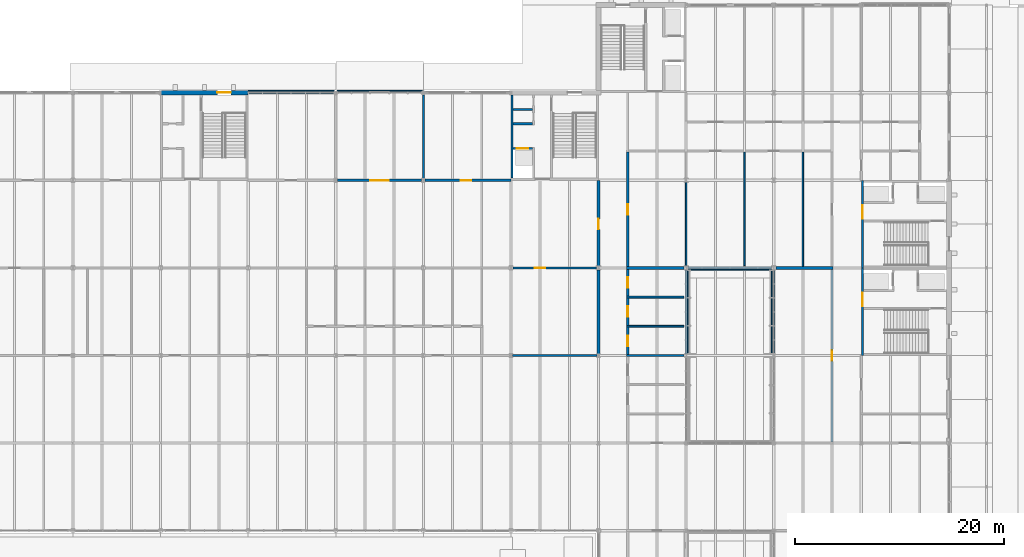
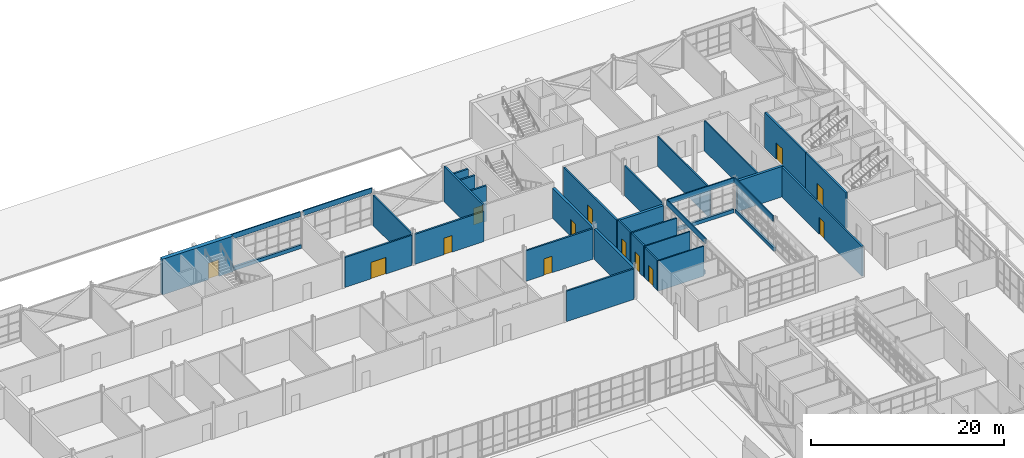
# One storey, part 93 of 116: 36 walls, 13 doors, 13 openings.
"""IFC4 building model written with IfcOpenShell, lengths in metres."""

import ifcopenshell
import ifcopenshell.guid

model = None  # the IFC model being written
_history = None  # IfcOwnerHistory: only IFC2X3 demands one
_inside = {}  # id of a spatial element -> (the spatial element, [elements in it])
_under = {}  # id of a project, library or spatial element -> (it, [spatial elements below it])
_declared = {}  # id of a project -> (the project, [libraries it declares])
_typed = {}  # id of a type object -> (the type object, [elements of that type])
_made_of = {}  # id of a material, layer set ... -> (it, [elements and type objects made of it])


def new_model(schema):
    """Start an empty IFC model of exactly this schema.

    Asked for "IFC4X3", IfcOpenShell would pick the latest addendum, in which some entities
    have other attributes; the version numbers below select the first issue.
    IFC2X3 requires an IfcOwnerHistory on every rooted entity: one is made here for all.
    """
    global model, _history
    if schema == "IFC4X3":
        model = ifcopenshell.file(schema_version=(4, 3, 0, 0))
    else:
        model = ifcopenshell.file(schema=schema)
    _inside.clear()
    _under.clear()
    _declared.clear()
    _typed.clear()
    _made_of.clear()
    _history = None
    if model.schema == "IFC2X3":
        org = make("IfcOrganization", Name="unknown")
        user = make(
            "IfcPersonAndOrganization",
            ThePerson=make("IfcPerson", FamilyName="unknown"),
            TheOrganization=org,
        )
        app = make(
            "IfcApplication",
            ApplicationDeveloper=org,
            Version="unknown",
            ApplicationFullName="unknown",
            ApplicationIdentifier="unknown",
        )
        _history = make(
            "IfcOwnerHistory",
            OwningUser=user,
            OwningApplication=app,
            ChangeAction="ADDED",
            CreationDate=0,
        )
    return model


def make(cls, **values):
    """One entity of the class cls with the attributes given. An attribute that is None is left unset."""
    return model.create_entity(
        cls, **{name: value for name, value in values.items() if value is not None}
    )


def rooted(cls, **values):
    """An entity with a GlobalId (a new one), such as an element, a storey or a relation."""
    return make(cls, GlobalId=ifcopenshell.guid.new(), OwnerHistory=_history, **values)


def si_unit(unit_type, name, prefix=None):
    """IfcSIUnit, for example si_unit("LENGTHUNIT", "METRE", prefix="MILLI")."""
    return make("IfcSIUnit", UnitType=unit_type, Prefix=prefix, Name=name)


def assignment(units):
    """IfcUnitAssignment: the units of a project."""
    return None if units is None else make("IfcUnitAssignment", Units=units)


def point(xyz):
    """IfcCartesianPoint."""
    return None if xyz is None else make("IfcCartesianPoint", Coordinates=xyz)


def direction(xyz):
    """IfcDirection."""
    return None if xyz is None else make("IfcDirection", DirectionRatios=xyz)


def frame(location, z_axis=None, x_axis=None):
    """IfcAxis2Placement3D, a coordinate frame: its origin and axes. An axis left out is left unset."""
    return make(
        "IfcAxis2Placement3D",
        Location=point(location),
        Axis=direction(z_axis),
        RefDirection=direction(x_axis),
    )


def frame_2d(location, x_axis=None):
    """IfcAxis2Placement2D, a coordinate frame in the plane: its origin and x axis."""
    return make(
        "IfcAxis2Placement2D", Location=point(location), RefDirection=direction(x_axis)
    )


def origin():
    """The frame at (0, 0, 0) with its axes left unset."""
    return frame((0.0, 0.0, 0.0))


def place(relative_to, where):
    """IfcLocalPlacement: puts the frame where relative to a parent placement (None: the world)."""
    return make(
        "IfcLocalPlacement", PlacementRelTo=relative_to, RelativePlacement=where
    )


def context(
    kind, dimensions, precision=None, world=None, true_north=None, identifier=None
):
    """IfcGeometricRepresentationContext, for example the 3D "Model" context."""
    return make(
        "IfcGeometricRepresentationContext",
        ContextIdentifier=identifier,
        ContextType=kind,
        CoordinateSpaceDimension=dimensions,
        Precision=precision,
        WorldCoordinateSystem=world,
        TrueNorth=true_north,
    )


def subcontext(parent, identifier, kind, view, scale=None):
    """IfcGeometricRepresentationSubContext, for example "Body" below "Model"."""
    return make(
        "IfcGeometricRepresentationSubContext",
        ContextIdentifier=identifier,
        ContextType=kind,
        ParentContext=parent,
        TargetScale=scale,
        TargetView=view,
    )


def project(units=None, contexts=None):
    """IfcProject with its units and contexts."""
    return rooted(
        "IfcProject",
        Name="project",
        RepresentationContexts=contexts,
        UnitsInContext=assignment(units),
    )


def spatial(cls, under=None, at=None, **own):
    """A site, building, storey or space (cls), placed at a placement, below another one or the project."""
    s = rooted(cls, ObjectPlacement=at, **own)
    if under is not None:
        _under.setdefault(under.id(), (under, []))[1].append(s)
    return s


def profile(cls, at=None, kind="AREA", **sizes):
    """A parametric profile (cls). Its sizes go by their IFC names, for example OverallWidth=200.0."""
    return make(cls, ProfileType=kind, Position=at, **sizes)


def rectangle(**sizes):
    """IfcRectangleProfileDef."""
    return profile("IfcRectangleProfileDef", **sizes)


def extrude(swept, where, along, depth):
    """IfcExtrudedAreaSolid: the profile swept, set in the frame where, extruded along a direction by depth."""
    return make(
        "IfcExtrudedAreaSolid",
        SweptArea=swept,
        Position=where,
        ExtrudedDirection=direction(along),
        Depth=depth,
    )


def shape(context_of_items, identifier, shape_type, items):
    """IfcShapeRepresentation: the items that make up one representation, for example the "Body"."""
    return make(
        "IfcShapeRepresentation",
        ContextOfItems=context_of_items,
        RepresentationIdentifier=identifier,
        RepresentationType=shape_type,
        Items=items,
    )


def material(Name=None, Category=None):
    """IfcMaterial."""
    return make("IfcMaterial", Name=Name, Category=Category)


def layer(
    of_material, thickness, ventilated=None, Name=None, Category=None, Priority=None
):
    """IfcMaterialLayer: one layer of a wall or slab, of a material (None: an air gap)."""
    return make(
        "IfcMaterialLayer",
        Material=of_material,
        LayerThickness=thickness,
        IsVentilated=ventilated,
        Name=Name,
        Category=Category,
        Priority=Priority,
    )


def layer_set(layers, Name=None):
    """IfcMaterialLayerSet."""
    return make("IfcMaterialLayerSet", MaterialLayers=layers, LayerSetName=Name)


def made_of(thing, what):
    """Note that an element or type object is made of a material, layer set ...; save() writes the relation."""
    if what is not None:
        _made_of.setdefault(what.id(), (what, []))[1].append(thing)
    return thing


def type_object(cls, material=None, **own):
    """A type object (cls), such as IfcWallType, which elements share."""
    return made_of(rooted(cls, **own), material)


def element(
    cls,
    number,
    at=None,
    inside=None,
    cuts=None,
    type_object=None,
    material=None,
    context=None,
    identifier="Body",
    shape_type=None,
    held_by="IfcProductDefinitionShape",
    body=None,
    shapes=None,
    **own,
):
    """One element of the class cls, such as IfcWall. Its Tag is "e" and its number.

    at: its placement. inside: the storey or other place that contains it. cuts: it is an
    opening in that element (IfcRelVoidsElement). A single representation is given by context,
    identifier, shape_type and body (its items); several are given by shapes. held_by: the class
    of the entity that holds the representations. save() writes the other relations.
    """
    e = rooted(cls, Tag="e%d" % number, ObjectPlacement=at, **own)
    if body is not None:
        shapes = [shape(context, identifier, shape_type, body)]
    if shapes is not None:
        e.Representation = make(held_by, Representations=shapes)
    if inside is not None:
        _inside.setdefault(inside.id(), (inside, []))[1].append(e)
    if cuts is not None:
        rooted(
            "IfcRelVoidsElement", RelatingBuildingElement=cuts, RelatedOpeningElement=e
        )
    if type_object is not None:
        _typed.setdefault(type_object.id(), (type_object, []))[1].append(e)
    return made_of(e, material)


def fill(opening, filler):
    """IfcRelFillsElement: the door or window that sits in an opening."""
    return rooted(
        "IfcRelFillsElement",
        RelatingOpeningElement=opening,
        RelatedBuildingElement=filler,
    )


def aggregate(whole, parts):
    """IfcRelAggregates: a whole, such as a stair, and the parts it consists of."""
    return rooted("IfcRelAggregates", RelatingObject=whole, RelatedObjects=parts)


def save(model, path):
    """Write the relations noted so far, then the file.

    IfcRelAggregates (storeys below a building ...), IfcRelContainedInSpatialStructure (elements
    in a storey), IfcRelDefinesByType, IfcRelAssociatesMaterial and IfcRelDeclares: one each for
    every whole, place, type object, material and project.
    """
    for whole, parts in _under.values():
        aggregate(whole, parts)
    for where, things in _inside.values():
        rooted(
            "IfcRelContainedInSpatialStructure",
            RelatedElements=things,
            RelatingStructure=where,
        )
    for kind, things in _typed.values():
        rooted("IfcRelDefinesByType", RelatedObjects=things, RelatingType=kind)
    for what, things in _made_of.values():
        rooted("IfcRelAssociatesMaterial", RelatedObjects=things, RelatingMaterial=what)
    for by, libraries in _declared.values():
        rooted("IfcRelDeclares", RelatingContext=by, RelatedDefinitions=libraries)
    model.write(path)


model = new_model("IFC4")

# Units and contexts
model_context = context("Model", 3, precision=1e-05, world=origin(), true_north=direction((0.0, 1.0)))
body_context = subcontext(model_context, "Body", "Model", "MODEL_VIEW")
ifc_project = project(units=[si_unit("LENGTHUNIT", "METRE"), si_unit("AREAUNIT", "SQUARE_METRE"), si_unit("VOLUMEUNIT", "CUBIC_METRE"), si_unit("PLANEANGLEUNIT", "RADIAN"), si_unit("MASSUNIT", "GRAM", prefix="KILO")], contexts=[model_context])

# Site, building, storey
site_placement = place(None, origin())
site = spatial("IfcSite", under=ifc_project, at=site_placement, CompositionType="ELEMENT")
building_placement = place(site_placement, origin())
building = spatial("IfcBuilding", under=site, at=building_placement, Name="Ardhachandra Cancer Care Centre", CompositionType="ELEMENT")
storey_placement = place(building_placement, origin())
storey = spatial("IfcBuildingStorey", under=building, at=storey_placement, Name="L00", CompositionType="ELEMENT", Elevation=0.0)

# Walls
ifc_material_1 = material(Name="Double-stud gypsum board partition with mineral wool")
ifc_layer_1 = layer(ifc_material_1, 0.179931640625)
ifc_layer_set_1 = layer_set([ifc_layer_1], Name="Double-stud gypsum board partition with mineral wool")
wall_type_1 = type_object("IfcWallType", Name="ACOUSTIC PARTITION 180", PredefinedType="PARTITIONING", material=ifc_layer_set_1)
wall_1_placement = place(storey_placement, frame((114.300048828125, 77.0, 0.0), z_axis=(0.0, 0.0, 1.0), x_axis=(1.0, 0.0, 0.0)))
element("IfcWall", 1, at=wall_1_placement, inside=storey, type_object=wall_type_1, Name="R/wall/L00/h0077000_0114300", PredefinedType="PARTITIONING", context=body_context, shape_type="SweptSolid", body=[
    extrude(rectangle(XDim=5.474853515625, YDim=0.179931640625, at=frame_2d((2.7373046875, 0.0))), origin(), (0.0, 0.0, 1.0), 3.949951171875),
])
ifc_material_2 = material(Name="Precast Concrete M30 fascia panel with granite bands", Category="masonry")
ifc_layer_2 = layer(ifc_material_2, 0.1298828125)
ifc_layer_set_2 = layer_set([ifc_layer_2], Name="Precast Concrete M30 fascia panel with granite bands")
wall_type_2 = type_object("IfcWallType", Name="Banded edge beam fascia 130", PredefinedType="SOLIDWALL", material=ifc_layer_set_2)
for number, where, z_axis, x_axis, name in (
    (2, (120.159912109375, 71.550048828125, 3.820068359375), (0.0, 0.0, 1.0), (0.0, 1.0, 0.0), "E/fascia/L00/e/0120000_0071400"),
    (3, (128.239990234375, 71.550048828125, 3.820068359375), (0.0, 0.0, 1.0), (0.0, 1.0, 0.0), "E/fascia/L00/w/0128400_0071400"),
):
    element("IfcWall", number, at=place(storey_placement, frame(where, z_axis=z_axis, x_axis=x_axis)), inside=storey, type_object=wall_type_2, Name=name, PredefinedType="SOLIDWALL", context=body_context, shape_type="SweptSolid", body=[
        extrude(rectangle(XDim=8.06005859375, YDim=0.1298828125, at=frame_2d((4.030029296875, 0.0))), origin(), (0.0, 0.0, 1.0), 0.679931640625),
    ])
ifc_material_3 = material(Name="Brick masonry", Category="masonry")
ifc_layer_3 = layer(ifc_material_3, 0.300048828125)
ifc_layer_set_3 = layer_set([ifc_layer_3], Name="Brick masonry")
wall_type_3 = type_object("IfcWallType", Name="COMPARTMENT WALL 300", PredefinedType="SOLIDWALL", material=ifc_layer_set_3)
wall_2_placement = place(storey_placement, frame((114.300048828125, 79.800048828125, 0.0), z_axis=(0.0, 0.0, 1.0), x_axis=(1.0, 0.0, 0.0)))
element("IfcWall", 4, at=wall_2_placement, inside=storey, type_object=wall_type_3, Name="R/wall/L00/h0079800_0114300", PredefinedType="SOLIDWALL", context=body_context, shape_type="SweptSolid", body=[
    extrude(rectangle(XDim=5.474853515625, YDim=0.300048828125, at=frame_2d((2.7373046875, 0.0))), origin(), (0.0, 0.0, 1.0), 3.85009765625),
])
wall_3_placement = place(storey_placement, frame((128.625, 79.800048828125, 0.0), z_axis=(0.0, 0.0, 1.0), x_axis=(1.0, 0.0, 0.0)))
element("IfcWall", 5, at=wall_3_placement, inside=storey, type_object=wall_type_3, Name="R/wall/L00/h0079800_0128625", PredefinedType="SOLIDWALL", context=body_context, shape_type="SweptSolid", body=[
    extrude(rectangle(XDim=5.47509765625, YDim=0.300048828125, at=frame_2d((2.737548828125, 0.0))), origin(), (0.0, 0.0, 1.0), 3.85009765625),
])
wall_4_placement = place(storey_placement, frame((111.60009765625, 71.550048828125, 0.0), z_axis=(0.0, 0.0, 1.0), x_axis=(0.0, 1.0, 0.0)))
element("IfcWall", 6, at=wall_4_placement, inside=storey, type_object=wall_type_3, Name="R/wall/L00/v0111600_0071550", PredefinedType="SOLIDWALL", context=body_context, shape_type="SweptSolid", body=[
    extrude(rectangle(XDim=8.052490234375, YDim=0.300048828125, at=frame_2d((4.0263671875, 0.0))), origin(), (0.0, 0.0, 1.0), 3.85009765625),
])

# Wall, opening, door
wall_5_placement = place(storey_placement, frame((111.60009765625, 79.99755859375, 0.0), z_axis=(0.0, 0.0, 1.0), x_axis=(0.0, 1.0, 0.0)))
wall_5 = element("IfcWall", 7, at=wall_5_placement, inside=storey, type_object=wall_type_3, Name="R/wall/L00/v0111600_0079998", PredefinedType="SOLIDWALL", context=body_context, shape_type="SweptSolid", body=[
    extrude(rectangle(XDim=8.202392578125, YDim=0.300048828125, at=frame_2d((4.10107421875, 0.0))), origin(), (0.0, 0.0, 1.0), 3.800048828125),
])
opening_1_placement = place(wall_5_placement, frame((3.50244140625, 0.0, 0.0)))
opening_1 = element("IfcOpeningElement", 8, at=opening_1_placement, cuts=wall_5, Name="Opening L00-0073", PredefinedType="OPENING", context=body_context, shape_type="SweptSolid", body=[
    extrude(rectangle(XDim=1.0, YDim=2.10009765625, at=frame_2d((0.5, 1.050048828125))), frame((0.0, 0.16015625, 0.0), z_axis=(0.0, -1.0, 0.0), x_axis=(1.0, 0.0, 0.0)), (0.0, 0.0, 1.0), 0.320068359375),
])
ifc_material_4 = material(Name="Steel fire door", Category="steel")
door_type_1 = type_object("IfcDoorType", Name="FIRE DOOR SINGLE 1000x2100 FD60", OperationType="NOTDEFINED", PredefinedType="DOOR", material=ifc_material_4)
door_1_placement = place(opening_1_placement, origin())
door_1 = element("IfcDoor", 9, at=door_1_placement, inside=storey, type_object=door_type_1, Name="Door L00-0073", OperationType="SINGLE_SWING_LEFT", OverallHeight=2.10009765625, OverallWidth=1.0, PredefinedType="DOOR", context=body_context, shape_type="SweptSolid", body=[
    extrude(rectangle(XDim=1.0, YDim=2.10009765625, at=frame_2d((0.5, 1.050048828125))), frame((0.0, 0.02490234375, 0.0), z_axis=(0.0, -1.0, 0.0), x_axis=(1.0, 0.0, 0.0)), (0.0, 0.0, 1.0), 0.050048828125),
])
fill(opening_1, door_1)

# Wall
ifc_material_5 = material(Name="Gypsum board corridor partition on steel studs", Category="steel")
ifc_layer_4 = layer(ifc_material_5, 0.199951171875)
ifc_layer_set_4 = layer_set([ifc_layer_4], Name="Gypsum board corridor partition on steel studs")
wall_type_4 = type_object("IfcWallType", Name="CORRIDOR WALL 200", PredefinedType="PARTITIONING", material=ifc_layer_set_4)
wall_6_placement = place(storey_placement, frame((103.35009765625, 71.39990234375, 0.0), z_axis=(0.0, 0.0, 1.0), x_axis=(1.0, 0.0, 0.0)))
element("IfcWall", 10, at=wall_6_placement, inside=storey, type_object=wall_type_4, Name="R/wall/L00/h0071400_0103350", PredefinedType="PARTITIONING", context=body_context, shape_type="SweptSolid", body=[
    extrude(rectangle(XDim=8.099853515625, YDim=0.199951171875, at=frame_2d((4.0498046875, 0.0))), origin(), (0.0, 0.0, 1.0), 3.85009765625),
])

# Wall, opening, door
wall_7_placement = place(storey_placement, frame((103.39990234375, 79.800048828125, 0.0), z_axis=(0.0, 0.0, 1.0), x_axis=(1.0, 0.0, 0.0)))
wall_7 = element("IfcWall", 11, at=wall_7_placement, inside=storey, type_object=wall_type_4, Name="R/wall/L00/h0079800_0103400", PredefinedType="PARTITIONING", context=body_context, shape_type="SweptSolid", body=[
    extrude(rectangle(XDim=8.002685546875, YDim=0.199951171875, at=frame_2d((4.00146484375, 0.0))), origin(), (0.0, 0.0, 1.0), 3.85009765625),
])
opening_2_placement = place(wall_7_placement, frame((2.10009765625, 0.0, 0.0)))
opening_2 = element("IfcOpeningElement", 12, at=opening_2_placement, cuts=wall_7, Name="Opening L00-0032", PredefinedType="OPENING", context=body_context, shape_type="SweptSolid", body=[
    extrude(rectangle(XDim=1.0, YDim=2.10009765625, at=frame_2d((0.5, 1.050048828125))), frame((0.0, 0.10986328125, 0.0), z_axis=(0.0, -1.0, 0.0), x_axis=(1.0, 0.0, 0.0)), (0.0, 0.0, 1.0), 0.219970703125),
])
ifc_material_6 = material(Name="Timber fire door with smoke seals", Category="wood")
door_type_2 = type_object("IfcDoorType", Name="FIRE DOOR SINGLE 1000x2100 FD30S", OperationType="NOTDEFINED", PredefinedType="DOOR", material=ifc_material_6)
door_2_placement = place(opening_2_placement, origin())
door_2 = element("IfcDoor", 13, at=door_2_placement, inside=storey, type_object=door_type_2, Name="Door L00-0032", OperationType="SINGLE_SWING_RIGHT", OverallHeight=2.10009765625, OverallWidth=1.0, PredefinedType="DOOR", context=body_context, shape_type="SweptSolid", body=[
    extrude(rectangle(XDim=1.0, YDim=2.10009765625, at=frame_2d((0.5, 1.050048828125))), frame((0.0, 0.02490234375, 0.0), z_axis=(0.0, -1.0, 0.0), x_axis=(1.0, 0.0, 0.0)), (0.0, 0.0, 1.0), 0.050048828125),
])
fill(opening_2, door_2)

wall_8_placement = place(storey_placement, frame((86.580078125, 88.199951171875, 0.0), z_axis=(0.0, 0.0, 1.0), x_axis=(1.0, 0.0, 0.0)))
wall_8 = element("IfcWall", 14, at=wall_8_placement, inside=storey, type_object=wall_type_4, Name="R/wall/L00/h0088200_0086580", PredefinedType="PARTITIONING", context=body_context, shape_type="SweptSolid", body=[
    extrude(rectangle(XDim=8.0400390625, YDim=0.199951171875, at=frame_2d((4.02001953125, 0.0))), origin(), (0.0, 0.0, 1.0), 3.800048828125),
])
opening_3_placement = place(wall_8_placement, frame((3.1201171875, 0.0, 0.0)))
opening_3 = element("IfcOpeningElement", 15, at=opening_3_placement, cuts=wall_8, Name="Opening L00-0041", PredefinedType="OPENING", context=body_context, shape_type="SweptSolid", body=[
    extrude(rectangle(XDim=1.800048828125, YDim=2.10009765625, at=frame_2d((0.89990234375, 1.050048828125))), frame((0.0, 0.10986328125, 0.0), z_axis=(0.0, -1.0, 0.0), x_axis=(1.0, 0.0, 0.0)), (0.0, 0.0, 1.0), 0.219970703125),
])
ifc_material_7 = material(Name="Timber fire door with smoke seals", Category="wood")
door_type_3 = type_object("IfcDoorType", Name="FIRE DOOR DOUBLE 1800x2100 FD30S", OperationType="NOTDEFINED", PredefinedType="DOOR", material=ifc_material_7)
door_3_placement = place(opening_3_placement, origin())
door_3 = element("IfcDoor", 16, at=door_3_placement, inside=storey, type_object=door_type_3, Name="Door L00-0041", OperationType="DOUBLE_DOOR_SINGLE_SWING", OverallHeight=2.10009765625, OverallWidth=1.800048828125, PredefinedType="DOOR", context=body_context, shape_type="SweptSolid", body=[
    extrude(rectangle(XDim=1.800048828125, YDim=2.10009765625, at=frame_2d((0.89990234375, 1.050048828125))), frame((0.0, 0.02490234375, 0.0), z_axis=(0.0, -1.0, 0.0), x_axis=(1.0, 0.0, 0.0)), (0.0, 0.0, 1.0), 0.050048828125),
])
fill(opening_3, door_3)

wall_9_placement = place(storey_placement, frame((94.97998046875, 88.199951171875, 0.0), z_axis=(0.0, 0.0, 1.0), x_axis=(1.0, 0.0, 0.0)))
wall_9 = element("IfcWall", 17, at=wall_9_placement, inside=storey, type_object=wall_type_4, Name="R/wall/L00/h0088200_0094980", PredefinedType="PARTITIONING", context=body_context, shape_type="SweptSolid", body=[
    extrude(rectangle(XDim=8.219970703125, YDim=0.199951171875, at=frame_2d((4.10986328125, 0.0))), origin(), (0.0, 0.0, 1.0), 3.800048828125),
])
opening_4_placement = place(wall_9_placement, frame((3.419921875, 0.0, 0.0)))
opening_4 = element("IfcOpeningElement", 18, at=opening_4_placement, cuts=wall_9, Name="Opening L00-0042", PredefinedType="OPENING", context=body_context, shape_type="SweptSolid", body=[
    extrude(rectangle(XDim=1.0, YDim=2.10009765625, at=frame_2d((0.5, 1.050048828125))), frame((0.0, 0.10986328125, 0.0), z_axis=(0.0, -1.0, 0.0), x_axis=(1.0, 0.0, 0.0)), (0.0, 0.0, 1.0), 0.219970703125),
])
door_4_placement = place(opening_4_placement, origin())
door_4 = element("IfcDoor", 19, at=door_4_placement, inside=storey, type_object=door_type_2, Name="Door L00-0042", OperationType="SINGLE_SWING_LEFT", OverallHeight=2.10009765625, OverallWidth=1.0, PredefinedType="DOOR", context=body_context, shape_type="SweptSolid", body=[
    extrude(rectangle(XDim=1.0, YDim=2.10009765625, at=frame_2d((0.5, 1.050048828125))), frame((0.0, 0.02490234375, 0.0), z_axis=(0.0, -1.0, 0.0), x_axis=(1.0, 0.0, 0.0)), (0.0, 0.0, 1.0), 0.050048828125),
])
fill(opening_4, door_4)

# Wall
wall_10_placement = place(storey_placement, frame((94.800048828125, 88.3798828125, 0.0), z_axis=(0.0, 0.0, 1.0), x_axis=(0.0, 1.0, 0.0)))
element("IfcWall", 20, at=wall_10_placement, inside=storey, type_object=wall_type_4, Name="R/wall/L00/v0094800_0088380", PredefinedType="PARTITIONING", context=body_context, shape_type="SweptSolid", body=[
    extrude(rectangle(XDim=7.9951171875, YDim=0.199951171875, at=frame_2d((3.99755859375, 0.0))), origin(), (0.0, 0.0, 1.0), 3.800048828125),
])

# Wall, opening, door
wall_11_placement = place(storey_placement, frame((114.39990234375, 71.47509765625, 0.0), z_axis=(0.0, 0.0, 1.0), x_axis=(0.0, 1.0, 0.0)))
wall_11 = element("IfcWall", 21, at=wall_11_placement, inside=storey, type_object=wall_type_4, Name="R/wall/L00/v0114400_0071475", PredefinedType="PARTITIONING", context=body_context, shape_type="SweptSolid", body=[
    extrude(rectangle(XDim=2.64990234375, YDim=0.199951171875, at=frame_2d((1.324951171875, 0.0))), origin(), (0.0, 0.0, 1.0), 3.800048828125),
])
opening_5_placement = place(wall_11_placement, frame((0.824951171875, 0.0, 0.0)))
opening_5 = element("IfcOpeningElement", 22, at=opening_5_placement, cuts=wall_11, Name="Opening L00-0079", PredefinedType="OPENING", context=body_context, shape_type="SweptSolid", body=[
    extrude(rectangle(XDim=1.0, YDim=2.10009765625, at=frame_2d((0.5, 1.050048828125))), frame((0.0, 0.10986328125, 0.0), z_axis=(0.0, -1.0, 0.0), x_axis=(1.0, 0.0, 0.0)), (0.0, 0.0, 1.0), 0.219970703125),
])
door_5_placement = place(opening_5_placement, origin())
door_5 = element("IfcDoor", 23, at=door_5_placement, inside=storey, type_object=door_type_2, Name="Door L00-0079", OperationType="SINGLE_SWING_RIGHT", OverallHeight=2.10009765625, OverallWidth=1.0, PredefinedType="DOOR", context=body_context, shape_type="SweptSolid", body=[
    extrude(rectangle(XDim=1.0, YDim=2.10009765625, at=frame_2d((0.5, 1.050048828125))), frame((0.0, 0.02490234375, 0.0), z_axis=(0.0, -1.0, 0.0), x_axis=(1.0, 0.0, 0.0)), (0.0, 0.0, 1.0), 0.050048828125),
])
fill(opening_5, door_5)

wall_12_placement = place(storey_placement, frame((114.39990234375, 74.27490234375, 0.0), z_axis=(0.0, 0.0, 1.0), x_axis=(0.0, 1.0, 0.0)))
wall_12 = element("IfcWall", 24, at=wall_12_placement, inside=storey, type_object=wall_type_4, Name="R/wall/L00/v0114400_0074275", PredefinedType="PARTITIONING", context=body_context, shape_type="SweptSolid", body=[
    extrude(rectangle(XDim=2.635009765625, YDim=0.199951171875, at=frame_2d((1.3173828125, 0.0))), origin(), (0.0, 0.0, 1.0), 3.949951171875),
])
opening_6_placement = place(wall_12_placement, frame((0.824951171875, 0.0, 0.0)))
opening_6 = element("IfcOpeningElement", 25, at=opening_6_placement, cuts=wall_12, Name="Opening L00-0080", PredefinedType="OPENING", context=body_context, shape_type="SweptSolid", body=[
    extrude(rectangle(XDim=1.0, YDim=2.10009765625, at=frame_2d((0.5, 1.050048828125))), frame((0.0, 0.10986328125, 0.0), z_axis=(0.0, -1.0, 0.0), x_axis=(1.0, 0.0, 0.0)), (0.0, 0.0, 1.0), 0.219970703125),
])
door_6_placement = place(opening_6_placement, origin())
door_6 = element("IfcDoor", 26, at=door_6_placement, inside=storey, type_object=door_type_2, Name="Door L00-0080", OperationType="SINGLE_SWING_RIGHT", OverallHeight=2.10009765625, OverallWidth=1.0, PredefinedType="DOOR", context=body_context, shape_type="SweptSolid", body=[
    extrude(rectangle(XDim=1.0, YDim=2.10009765625, at=frame_2d((0.5, 1.050048828125))), frame((0.0, 0.02490234375, 0.0), z_axis=(0.0, -1.0, 0.0), x_axis=(1.0, 0.0, 0.0)), (0.0, 0.0, 1.0), 0.050048828125),
])
fill(opening_6, door_6)

wall_13_placement = place(storey_placement, frame((114.39990234375, 77.090087890625, 0.0), z_axis=(0.0, 0.0, 1.0), x_axis=(0.0, 1.0, 0.0)))
wall_13 = element("IfcWall", 27, at=wall_13_placement, inside=storey, type_object=wall_type_4, Name="R/wall/L00/v0114400_0077090", PredefinedType="PARTITIONING", context=body_context, shape_type="SweptSolid", body=[
    extrude(rectangle(XDim=2.559814453125, YDim=0.199951171875, at=frame_2d((1.27978515625, 0.0))), origin(), (0.0, 0.0, 1.0), 3.949951171875),
])
opening_7_placement = place(wall_13_placement, frame((0.81005859375, 0.0, 0.0)))
opening_7 = element("IfcOpeningElement", 28, at=opening_7_placement, cuts=wall_13, Name="Opening L00-0081", PredefinedType="OPENING", context=body_context, shape_type="SweptSolid", body=[
    extrude(rectangle(XDim=1.0, YDim=2.10009765625, at=frame_2d((0.5, 1.050048828125))), frame((0.0, 0.10986328125, 0.0), z_axis=(0.0, -1.0, 0.0), x_axis=(1.0, 0.0, 0.0)), (0.0, 0.0, 1.0), 0.219970703125),
])
door_7_placement = place(opening_7_placement, origin())
door_7 = element("IfcDoor", 29, at=door_7_placement, inside=storey, type_object=door_type_2, Name="Door L00-0081", OperationType="SINGLE_SWING_RIGHT", OverallHeight=2.10009765625, OverallWidth=1.0, PredefinedType="DOOR", context=body_context, shape_type="SweptSolid", body=[
    extrude(rectangle(XDim=1.0, YDim=2.10009765625, at=frame_2d((0.5, 1.050048828125))), frame((0.0, 0.02490234375, 0.0), z_axis=(0.0, -1.0, 0.0), x_axis=(1.0, 0.0, 0.0)), (0.0, 0.0, 1.0), 0.050048828125),
])
fill(opening_7, door_7)

wall_14_placement = place(storey_placement, frame((114.39990234375, 79.949951171875, 0.0), z_axis=(0.0, 0.0, 1.0), x_axis=(0.0, 1.0, 0.0)))
wall_14 = element("IfcWall", 30, at=wall_14_placement, inside=storey, type_object=wall_type_4, Name="R/wall/L00/v0114400_0079950", PredefinedType="PARTITIONING", context=body_context, shape_type="SweptSolid", body=[
    extrude(rectangle(XDim=10.949951171875, YDim=0.199951171875, at=frame_2d((5.47509765625, 0.0))), origin(), (0.0, 0.0, 1.0), 3.800048828125),
])
opening_8_placement = place(wall_14_placement, frame((4.949951171875, 0.0, 0.0)))
opening_8 = element("IfcOpeningElement", 31, at=opening_8_placement, cuts=wall_14, Name="Opening L00-0082", PredefinedType="OPENING", context=body_context, shape_type="SweptSolid", body=[
    extrude(rectangle(XDim=1.0, YDim=2.10009765625, at=frame_2d((0.5, 1.050048828125))), frame((0.0, 0.10986328125, 0.0), z_axis=(0.0, -1.0, 0.0), x_axis=(1.0, 0.0, 0.0)), (0.0, 0.0, 1.0), 0.219970703125),
])
door_8_placement = place(opening_8_placement, origin())
door_8 = element("IfcDoor", 32, at=door_8_placement, inside=storey, type_object=door_type_2, Name="Door L00-0082", OperationType="SINGLE_SWING_RIGHT", OverallHeight=2.10009765625, OverallWidth=1.0, PredefinedType="DOOR", context=body_context, shape_type="SweptSolid", body=[
    extrude(rectangle(XDim=1.0, YDim=2.10009765625, at=frame_2d((0.5, 1.050048828125))), frame((0.0, 0.02490234375, 0.0), z_axis=(0.0, -1.0, 0.0), x_axis=(1.0, 0.0, 0.0)), (0.0, 0.0, 1.0), 0.050048828125),
])
fill(opening_8, door_8)

wall_15_placement = place(storey_placement, frame((134.0, 63.10009765625, 0.0), z_axis=(0.0, 0.0, 1.0), x_axis=(0.0, 1.0, 0.0)))
wall_15 = element("IfcWall", 33, at=wall_15_placement, inside=storey, type_object=wall_type_4, Name="R/wall/L00/v0134000_0063100", PredefinedType="PARTITIONING", context=body_context, shape_type="SweptSolid", body=[
    extrude(rectangle(XDim=16.5498046875, YDim=0.199951171875, at=frame_2d((8.27490234375, 0.0))), origin(), (0.0, 0.0, 1.0), 3.800048828125),
])
opening_9_placement = place(wall_15_placement, frame((7.800048828125, 0.0, 0.0)))
opening_9 = element("IfcOpeningElement", 34, at=opening_9_placement, cuts=wall_15, Name="Opening L00-0088", PredefinedType="OPENING", context=body_context, shape_type="SweptSolid", body=[
    extrude(rectangle(XDim=1.0, YDim=2.10009765625, at=frame_2d((0.5, 1.050048828125))), frame((0.0, 0.10986328125, 0.0), z_axis=(0.0, -1.0, 0.0), x_axis=(1.0, 0.0, 0.0)), (0.0, 0.0, 1.0), 0.219970703125),
])
door_9_placement = place(opening_9_placement, origin())
door_9 = element("IfcDoor", 35, at=door_9_placement, inside=storey, type_object=door_type_2, Name="Door L00-0088", OperationType="SINGLE_SWING_LEFT", OverallHeight=2.10009765625, OverallWidth=1.0, PredefinedType="DOOR", context=body_context, shape_type="SweptSolid", body=[
    extrude(rectangle(XDim=1.0, YDim=2.10009765625, at=frame_2d((0.5, 1.050048828125))), frame((0.0, 0.02490234375, 0.0), z_axis=(0.0, -1.0, 0.0), x_axis=(1.0, 0.0, 0.0)), (0.0, 0.0, 1.0), 0.050048828125),
])
fill(opening_9, door_9)

ifc_material_8 = material(Name="Concrete M40", Category="concrete")
ifc_layer_5 = layer(ifc_material_8, 0.449951171875)
ifc_layer_set_5 = layer_set([ifc_layer_5], Name="Concrete M40")
wall_type_5 = type_object("IfcWallType", Name="Core exterior wall RC 450", PredefinedType="SOLIDWALL", material=ifc_layer_set_5)
wall_16_placement = place(storey_placement, frame((78.0, 96.60009765625, 0.0), z_axis=(0.0, 0.0, 1.0), x_axis=(-1.0, 0.0, 0.0)))
wall_16 = element("IfcWall", 36, at=wall_16_placement, inside=storey, type_object=wall_type_5, Name="Core wall K8 FAR", PredefinedType="SOLIDWALL", context=body_context, shape_type="SweptSolid", body=[
    extrude(rectangle(XDim=8.39990234375, YDim=0.449951171875, at=frame_2d((4.199951171875, 0.0))), origin(), (0.0, 0.0, 1.0), 4.5),
])
opening_10_placement = place(wall_16_placement, frame((1.64990234375, 0.0, 0.0)))
opening_10 = element("IfcOpeningElement", 37, at=opening_10_placement, cuts=wall_16, Name="Opening L00-K08-5", PredefinedType="OPENING", context=body_context, shape_type="SweptSolid", body=[
    extrude(rectangle(XDim=1.300048828125, YDim=2.10009765625, at=frame_2d((0.64990234375, 1.050048828125))), frame((0.0, 0.23486328125, 0.0), z_axis=(0.0, -1.0, 0.0), x_axis=(1.0, 0.0, 0.0)), (0.0, 0.0, 1.0), 0.469970703125),
])
ifc_material_9 = material(Name="Steel door set", Category="steel")
door_type_4 = type_object("IfcDoorType", Name="Core exit double door 1300x2100 FD60S", OperationType="DOUBLE_DOOR_DOUBLE_SWING", PredefinedType="DOOR", material=ifc_material_9)
door_10_placement = place(opening_10_placement, origin())
door_10 = element("IfcDoor", 38, at=door_10_placement, inside=storey, type_object=door_type_4, Name="Stair exit door", OperationType="DOUBLE_DOOR_DOUBLE_SWING", OverallHeight=2.10009765625, OverallWidth=1.300048828125, PredefinedType="DOOR", context=body_context, shape_type="SweptSolid", body=[
    extrude(rectangle(XDim=1.300048828125, YDim=2.10009765625, at=frame_2d((0.64990234375, 1.050048828125))), frame((0.0, 0.02490234375, 0.0), z_axis=(0.0, -1.0, 0.0), x_axis=(1.0, 0.0, 0.0)), (0.0, 0.0, 1.0), 0.050048828125),
])
fill(opening_10, door_10)

# Wall
ifc_material_10 = material(Name="Concrete M40", Category="concrete")
ifc_layer_6 = layer(ifc_material_10, 0.199951171875)
ifc_layer_set_6 = layer_set([ifc_layer_6], Name="Concrete M40")
wall_type_6 = type_object("IfcWallType", Name="Core wall RC 200", PredefinedType="SOLIDWALL", material=ifc_layer_set_6)
wall_17_placement = place(storey_placement, frame((103.300048828125, 88.39990234375, 0.0), z_axis=(0.0, 0.0, 1.0), x_axis=(0.0, 1.0, 0.0)))
element("IfcWall", 39, at=wall_17_placement, inside=storey, type_object=wall_type_6, Name="Core wall K7 UE", PredefinedType="SOLIDWALL", context=body_context, shape_type="SweptSolid", body=[
    extrude(rectangle(XDim=7.97509765625, YDim=0.199951171875, at=frame_2d((3.987548828125, 0.0))), origin(), (0.0, 0.0, 1.0), 4.5),
])

# Wall, opening, door
wall_18_placement = place(storey_placement, frame((105.25, 91.25, 0.0), z_axis=(0.0, 0.0, 1.0), x_axis=(-1.0, 0.0, 0.0)))
wall_18 = element("IfcWall", 40, at=wall_18_placement, inside=storey, type_object=wall_type_6, Name="Core wall K7 W1", PredefinedType="SOLIDWALL", context=body_context, shape_type="SweptSolid", body=[
    extrude(rectangle(XDim=1.85009765625, YDim=0.199951171875, at=frame_2d((0.925048828125, 0.0))), origin(), (0.0, 0.0, 1.0), 4.5),
])
opening_11_placement = place(wall_18_placement, frame((0.375, 0.0, 0.0)))
opening_11 = element("IfcOpeningElement", 41, at=opening_11_placement, cuts=wall_18, Name="Opening L00-K07-3", PredefinedType="OPENING", context=body_context, shape_type="SweptSolid", body=[
    extrude(rectangle(XDim=1.10009765625, YDim=2.10009765625, at=frame_2d((0.550048828125, 1.050048828125))), frame((0.0, 0.10986328125, 0.0), z_axis=(0.0, -1.0, 0.0), x_axis=(1.0, 0.0, 0.0)), (0.0, 0.0, 1.0), 0.219970703125),
])
ifc_material_11 = material(Name="Stainless steel (grade 304)", Category="steel")
door_type_5 = type_object("IfcDoorType", Name="Lift landing door 1100x2100", OperationType="DOUBLE_DOOR_SLIDING", PredefinedType="DOOR", material=ifc_material_11)
door_11_placement = place(opening_11_placement, origin())
door_11 = element("IfcDoor", 42, at=door_11_placement, inside=storey, type_object=door_type_5, Name="Lift landing door LF-K7-1", OperationType="DOUBLE_DOOR_SLIDING", OverallHeight=2.10009765625, OverallWidth=1.10009765625, PredefinedType="DOOR", context=body_context, shape_type="SweptSolid", body=[
    extrude(rectangle(XDim=1.10009765625, YDim=2.10009765625, at=frame_2d((0.550048828125, 1.050048828125))), frame((0.0, 0.02490234375, 0.0), z_axis=(0.0, -1.0, 0.0), x_axis=(1.0, 0.0, 0.0)), (0.0, 0.0, 1.0), 0.050048828125),
])
fill(opening_11, door_11)

# Walls
for number, where, z_axis, x_axis, name in (
    (43, (105.25, 93.625, 0.0), (0.0, 0.0, 1.0), (-1.0, 0.0, 0.0), "Core wall K7 W2"),
    (44, (105.25, 94.97509765625, 0.0), (0.0, 0.0, 1.0), (-1.0, 0.0, 0.0), "Core wall K7 DIV"),
):
    element("IfcWall", number, at=place(storey_placement, frame(where, z_axis=z_axis, x_axis=x_axis)), inside=storey, type_object=wall_type_6, Name=name, PredefinedType="SOLIDWALL", context=body_context, shape_type="SweptSolid", body=[
        extrude(rectangle(XDim=1.85009765625, YDim=0.199951171875, at=frame_2d((0.925048828125, 0.0))), origin(), (0.0, 0.0, 1.0), 4.35009765625),
    ])

# Wall, opening, door
wall_19_placement = place(storey_placement, frame((136.89990234375, 71.39990234375, 0.0), z_axis=(0.0, 0.0, 1.0), x_axis=(0.0, 1.0, 0.0)))
wall_19 = element("IfcWall", 45, at=wall_19_placement, inside=storey, type_object=wall_type_6, Name="Core wall K10 ENT", PredefinedType="SOLIDWALL", context=body_context, shape_type="SweptSolid", body=[
    extrude(rectangle(XDim=8.400146484375, YDim=0.199951171875, at=frame_2d((4.2001953125, 0.0))), origin(), (0.0, 0.0, 1.0), 4.5),
])
opening_12_placement = place(wall_19_placement, frame((4.72509765625, 0.0, 0.0)))
opening_12 = element("IfcOpeningElement", 46, at=opening_12_placement, cuts=wall_19, Name="Opening L00-K10-1", PredefinedType="OPENING", context=body_context, shape_type="SweptSolid", body=[
    extrude(rectangle(XDim=1.300048828125, YDim=2.10009765625, at=frame_2d((0.64990234375, 1.050048828125))), frame((0.0, 0.10986328125, 0.0), z_axis=(0.0, -1.0, 0.0), x_axis=(1.0, 0.0, 0.0)), (0.0, 0.0, 1.0), 0.219970703125),
])
ifc_material_12 = material(Name="Steel door set", Category="steel")
door_type_6 = type_object("IfcDoorType", Name="Core entry double door 1300x2100 FD60", OperationType="DOUBLE_DOOR_DOUBLE_SWING", PredefinedType="DOOR", material=ifc_material_12)
door_12_placement = place(opening_12_placement, origin())
door_12 = element("IfcDoor", 47, at=door_12_placement, inside=storey, type_object=door_type_6, Name="Core entry door", OperationType="DOUBLE_DOOR_DOUBLE_SWING", OverallHeight=2.10009765625, OverallWidth=1.300048828125, PredefinedType="DOOR", context=body_context, shape_type="SweptSolid", body=[
    extrude(rectangle(XDim=1.300048828125, YDim=2.10009765625, at=frame_2d((0.64990234375, 1.050048828125))), frame((0.0, 0.02490234375, 0.0), z_axis=(0.0, -1.0, 0.0), x_axis=(1.0, 0.0, 0.0)), (0.0, 0.0, 1.0), 0.050048828125),
])
fill(opening_12, door_12)

wall_20_placement = place(storey_placement, frame((136.89990234375, 79.800048828125, 0.0), z_axis=(0.0, 0.0, 1.0), x_axis=(0.0, 1.0, 0.0)))
wall_20 = element("IfcWall", 48, at=wall_20_placement, inside=storey, type_object=wall_type_6, Name="Core wall K13 ENT", PredefinedType="SOLIDWALL", context=body_context, shape_type="SweptSolid", body=[
    extrude(rectangle(XDim=8.39990234375, YDim=0.199951171875, at=frame_2d((4.199951171875, 0.0))), origin(), (0.0, 0.0, 1.0), 4.5),
])
opening_13_placement = place(wall_20_placement, frame((4.72509765625, 0.0, 0.0)))
opening_13 = element("IfcOpeningElement", 49, at=opening_13_placement, cuts=wall_20, Name="Opening L00-K13-1", PredefinedType="OPENING", context=body_context, shape_type="SweptSolid", body=[
    extrude(rectangle(XDim=1.300048828125, YDim=2.10009765625, at=frame_2d((0.64990234375, 1.050048828125))), frame((0.0, 0.10986328125, 0.0), z_axis=(0.0, -1.0, 0.0), x_axis=(1.0, 0.0, 0.0)), (0.0, 0.0, 1.0), 0.219970703125),
])
door_13_placement = place(opening_13_placement, origin())
door_13 = element("IfcDoor", 50, at=door_13_placement, inside=storey, type_object=door_type_6, Name="Core entry door", OperationType="DOUBLE_DOOR_DOUBLE_SWING", OverallHeight=2.10009765625, OverallWidth=1.300048828125, PredefinedType="DOOR", context=body_context, shape_type="SweptSolid", body=[
    extrude(rectangle(XDim=1.300048828125, YDim=2.10009765625, at=frame_2d((0.64990234375, 1.050048828125))), frame((0.0, 0.02490234375, 0.0), z_axis=(0.0, -1.0, 0.0), x_axis=(1.0, 0.0, 0.0)), (0.0, 0.0, 1.0), 0.050048828125),
])
fill(opening_13, door_13)

# Walls
ifc_material_13 = material(Name="Precast Concrete M30 fascia panel with brick slip facing", Category="masonry")
ifc_layer_7 = layer(ifc_material_13, 0.1298828125)
ifc_layer_set_7 = layer_set([ifc_layer_7], Name="Precast Concrete M30 fascia panel with brick slip facing")
wall_type_7 = type_object("IfcWallType", Name="Edge beam fascia 130", PredefinedType="SOLIDWALL", material=ifc_layer_set_7)
for number, where, z_axis, x_axis, name in (
    (51, (78.0, 96.760009765625, 3.8701171875), (0.0, 0.0, 1.0), (1.0, 0.0, 0.0), "E/fascia/L00/n/0078000_0096600"),
    (52, (86.550048828125, 96.760009765625, 3.8701171875), (0.0, 0.0, 1.0), (1.0, 0.0, 0.0), "E/fascia/L00/n/0086400_0096600"),
):
    element("IfcWall", number, at=place(storey_placement, frame(where, z_axis=z_axis, x_axis=x_axis)), inside=storey, type_object=wall_type_7, Name=name, PredefinedType="SOLIDWALL", context=body_context, shape_type="SweptSolid", body=[
        extrude(rectangle(XDim=8.25, YDim=0.1298828125, at=frame_2d((4.125, 0.0))), origin(), (0.0, 0.0, 1.0), 0.6298828125),
    ])
wall_21_placement = place(storey_placement, frame((120.197509765625, 79.639892578125, 3.8701171875), z_axis=(0.0, 0.0, 1.0), x_axis=(1.0, 0.0, 0.0)))
element("IfcWall", 53, at=wall_21_placement, inside=storey, type_object=wall_type_7, Name="E/fascia/L00/s/0120000_0079800", PredefinedType="SOLIDWALL", context=body_context, shape_type="SweptSolid", body=[
    extrude(rectangle(XDim=8.0048828125, YDim=0.1298828125, at=frame_2d((4.00244140625, 0.0))), origin(), (0.0, 0.0, 1.0), 0.6298828125),
])
ifc_material_14 = material(Name="Gypsum board partition on steel studs", Category="steel")
ifc_layer_8 = layer(ifc_material_14, 0.14990234375)
ifc_layer_set_8 = layer_set([ifc_layer_8], Name="Gypsum board partition on steel studs")
wall_type_8 = type_object("IfcWallType", Name="PARTITION 150", PredefinedType="PARTITIONING", material=ifc_layer_set_8)
wall_22_placement = place(storey_placement, frame((114.300048828125, 71.39990234375, 0.0), z_axis=(0.0, 0.0, 1.0), x_axis=(1.0, 0.0, 0.0)))
element("IfcWall", 54, at=wall_22_placement, inside=storey, type_object=wall_type_8, Name="R/wall/L00/h0071400_0114300", PredefinedType="PARTITIONING", context=body_context, shape_type="SweptSolid", body=[
    extrude(rectangle(XDim=5.474853515625, YDim=0.14990234375, at=frame_2d((2.7373046875, 0.0))), origin(), (0.0, 0.0, 1.0), 3.800048828125),
])
wall_23_placement = place(storey_placement, frame((114.300048828125, 74.199951171875, 0.0), z_axis=(0.0, 0.0, 1.0), x_axis=(1.0, 0.0, 0.0)))
element("IfcWall", 55, at=wall_23_placement, inside=storey, type_object=wall_type_8, Name="R/wall/L00/h0074200_0114300", PredefinedType="PARTITIONING", context=body_context, shape_type="SweptSolid", body=[
    extrude(rectangle(XDim=5.474853515625, YDim=0.14990234375, at=frame_2d((2.7373046875, 0.0))), origin(), (0.0, 0.0, 1.0), 3.949951171875),
])
wall_24_placement = place(storey_placement, frame((120.0, 80.02490234375, 0.0), z_axis=(0.0, 0.0, 1.0), x_axis=(0.0, 1.0, 0.0)))
element("IfcWall", 56, at=wall_24_placement, inside=storey, type_object=wall_type_8, Name="R/wall/L00/v0120000_0080025", PredefinedType="PARTITIONING", context=body_context, shape_type="SweptSolid", body=[
    extrude(rectangle(XDim=7.9775390625, YDim=0.14990234375, at=frame_2d((3.98876953125, 0.0))), origin(), (0.0, 0.0, 1.0), 3.800048828125),
])
wall_25_placement = place(storey_placement, frame((125.60009765625, 80.02490234375, 0.0), z_axis=(0.0, 0.0, 1.0), x_axis=(0.0, 1.0, 0.0)))
element("IfcWall", 57, at=wall_25_placement, inside=storey, type_object=wall_type_8, Name="R/wall/L00/v0125600_0080025", PredefinedType="PARTITIONING", context=body_context, shape_type="SweptSolid", body=[
    extrude(rectangle(XDim=10.875, YDim=0.14990234375, at=frame_2d((5.4375, 0.0))), origin(), (0.0, 0.0, 1.0), 3.800048828125),
])
wall_26_placement = place(storey_placement, frame((131.199951171875, 79.949951171875, 0.0), z_axis=(0.0, 0.0, 1.0), x_axis=(0.0, 1.0, 0.0)))
element("IfcWall", 58, at=wall_26_placement, inside=storey, type_object=wall_type_8, Name="R/wall/L00/v0131200_0079950", PredefinedType="PARTITIONING", context=body_context, shape_type="SweptSolid", body=[
    extrude(rectangle(XDim=10.949951171875, YDim=0.14990234375, at=frame_2d((5.47509765625, 0.0))), origin(), (0.0, 0.0, 1.0), 3.800048828125),
])
ifc_material_15 = material(Name="Granite facing on Concrete M30", Category="masonry")
ifc_layer_9 = layer(ifc_material_15, 0.25)
ifc_layer_set_9 = layer_set([ifc_layer_9], Name="Granite facing on Concrete M30")
wall_type_9 = type_object("IfcWallType", Name="Stone-faced plinth wall 250", PredefinedType="SOLIDWALL", material=ifc_layer_set_9)
wall_27_placement = place(storey_placement, frame((120.0, 71.550048828125, 0.0), z_axis=(0.0, 0.0, 1.0), x_axis=(0.0, 1.0, 0.0)))
element("IfcWall", 59, at=wall_27_placement, inside=storey, type_object=wall_type_9, Name="E/plinth/L00/e/0120000_0071400", PredefinedType="SOLIDWALL", context=body_context, shape_type="SweptSolid", body=[
    extrude(rectangle(XDim=8.06005859375, YDim=0.25, at=frame_2d((4.030029296875, 0.0))), origin(), (0.0, 0.0, 1.0), 0.449951171875),
])
wall_28_placement = place(storey_placement, frame((78.0, 96.60009765625, 0.0), z_axis=(0.0, 0.0, 1.0), x_axis=(1.0, 0.0, 0.0)))
element("IfcWall", 60, at=wall_28_placement, inside=storey, type_object=wall_type_9, Name="E/plinth/L00/n/0078000_0096600", PredefinedType="SOLIDWALL", context=body_context, shape_type="SweptSolid", body=[
    extrude(rectangle(XDim=8.25, YDim=0.25, at=frame_2d((4.125, 0.0))), origin(), (0.0, 0.0, 1.0), 0.449951171875),
])
wall_29_placement = place(storey_placement, frame((120.197509765625, 79.800048828125, 0.0), z_axis=(0.0, 0.0, 1.0), x_axis=(1.0, 0.0, 0.0)))
element("IfcWall", 61, at=wall_29_placement, inside=storey, type_object=wall_type_9, Name="E/plinth/L00/s/0120000_0079800", PredefinedType="SOLIDWALL", context=body_context, shape_type="SweptSolid", body=[
    extrude(rectangle(XDim=8.0048828125, YDim=0.25, at=frame_2d((4.00244140625, 0.0))), origin(), (0.0, 0.0, 1.0), 0.449951171875),
])
wall_30_placement = place(storey_placement, frame((128.39990234375, 71.550048828125, 0.0), z_axis=(0.0, 0.0, 1.0), x_axis=(0.0, 1.0, 0.0)))
element("IfcWall", 62, at=wall_30_placement, inside=storey, type_object=wall_type_9, Name="E/plinth/L00/w/0128400_0071400", PredefinedType="SOLIDWALL", context=body_context, shape_type="SweptSolid", body=[
    extrude(rectangle(XDim=8.06005859375, YDim=0.25, at=frame_2d((4.030029296875, 0.0))), origin(), (0.0, 0.0, 1.0), 0.449951171875),
])

save(model, "model.ifc")
